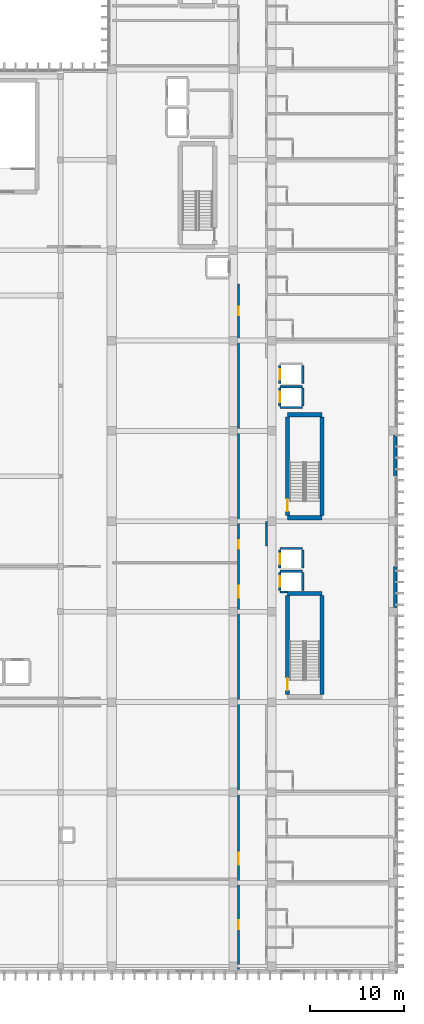
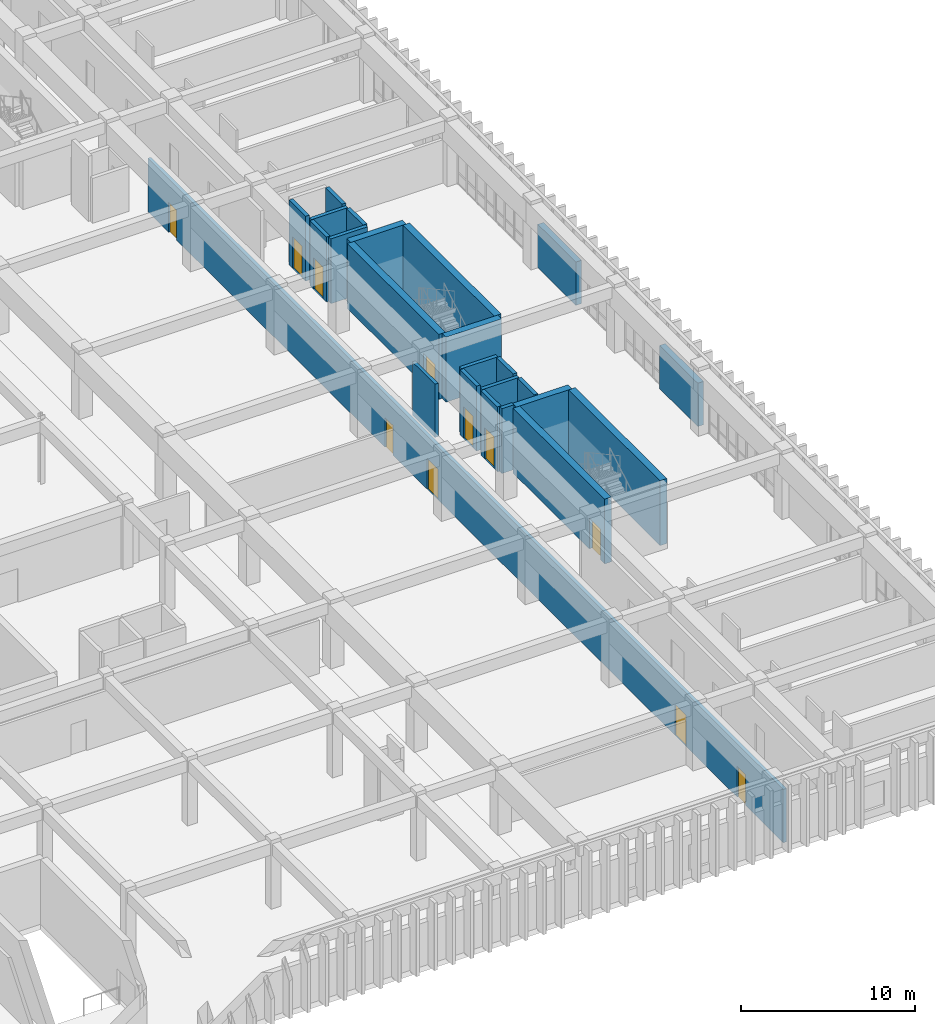
# One storey, part 78 of 101: 24 walls, 11 doors, 11 openings.
"""IFC4 building model written with IfcOpenShell, lengths in metres."""

from ifc_helpers import new_model, si_unit, direction, frame, frame_2d, origin, place, context, subcontext, project, spatial, rectangle, extrude, material, layer, layer_set, type_object, element, fill, save


model = new_model("IFC4")

# Units and contexts
model_context = context("Model", 3, precision=1e-05, world=origin(), true_north=direction((0.0, 1.0)))
body_context = subcontext(model_context, "Body", "Model", "MODEL_VIEW")
ifc_project = project(units=[si_unit("LENGTHUNIT", "METRE"), si_unit("AREAUNIT", "SQUARE_METRE"), si_unit("VOLUMEUNIT", "CUBIC_METRE"), si_unit("PLANEANGLEUNIT", "RADIAN"), si_unit("MASSUNIT", "GRAM", prefix="KILO")], contexts=[model_context])

# Site, building, storey
site_placement = place(None, origin())
site = spatial("IfcSite", under=ifc_project, at=site_placement, CompositionType="ELEMENT")
building_placement = place(site_placement, origin())
building = spatial("IfcBuilding", under=site, at=building_placement, Name="Nakhvara Creek Congress Hotel", CompositionType="ELEMENT")
storey_placement = place(building_placement, frame((0.0, 0.0, 16.199951171875)))
storey = spatial("IfcBuildingStorey", under=building, at=storey_placement, Name="L03", CompositionType="ELEMENT", Elevation=16.199951171875)

# Wall
ifc_material_1 = material(Name="Concrete C50/60", Category="concrete")
ifc_layer_1 = layer(ifc_material_1, 0.449951171875)
ifc_layer_set_1 = layer_set([ifc_layer_1], Name="Concrete C50/60")
wall_type_1 = type_object("IfcWallType", Name="W-CORE-450", PredefinedType="SHEAR", material=ifc_layer_set_1)
wall_1_placement = place(storey_placement, frame((168.10009765625, 40.320068359375, 0.0), z_axis=(0.0, 0.0, 1.0), x_axis=(1.0, 0.0, 0.0)))
element("IfcWall", 1, at=wall_1_placement, inside=storey, type_object=wall_type_1, Name="Core Shear Wall WS02-CWALL-L03-0590", PredefinedType="SHEAR", context=body_context, shape_type="SweptSolid", body=[
    extrude(rectangle(XDim=3.669921875, YDim=0.449951171875, at=frame_2d((1.8349609375, 0.0))), origin(), (0.0, 0.0, 1.0), 4.5400390625),
])

# Wall, opening, door
wall_2_placement = place(storey_placement, frame((168.10009765625, 29.60009765625, 0.0), z_axis=(0.0, 0.0, 1.0), x_axis=(0.0, 1.0, 0.0)))
wall_2 = element("IfcWall", 2, at=wall_2_placement, inside=storey, type_object=wall_type_1, Name="Core Shear Wall WS02-CWALL-L03-0591", PredefinedType="SHEAR", context=body_context, shape_type="SweptSolid", body=[
    extrude(rectangle(XDim=10.5, YDim=0.449951171875, at=frame_2d((5.25, 0.0))), origin(), (0.0, 0.0, 1.0), 4.5400390625),
])
opening_1_placement = place(wall_2_placement, frame((0.449951171875, 0.0, 0.0)))
opening_1 = element("IfcOpeningElement", 3, at=opening_1_placement, cuts=wall_2, Name="Opening FD04", PredefinedType="OPENING", context=body_context, shape_type="SweptSolid", body=[
    extrude(rectangle(XDim=1.300048828125, YDim=2.14990234375, at=frame_2d((0.64990234375, 1.074951171875))), frame((0.0, 0.23681640625, 0.0), z_axis=(0.0, -1.0, 0.0), x_axis=(1.0, 0.0, 0.0)), (0.0, 0.0, 1.0), 0.473876953125),
])
ifc_material_2 = material(Name="Powder-coated steel fire door", Category="steel")
door_type_1 = type_object("IfcDoorType", Name="DT-STAIR-130", OperationType="NOTDEFINED", PredefinedType="DOOR", material=ifc_material_2)
door_1_placement = place(opening_1_placement, origin())
door_1 = element("IfcDoor", 4, at=door_1_placement, inside=storey, type_object=door_type_1, Name="Stair Exit Door ST03-L03", OperationType="SINGLE_SWING_RIGHT", OverallHeight=2.14990234375, OverallWidth=1.300048828125, PredefinedType="DOOR", context=body_context, shape_type="SweptSolid", body=[
    extrude(rectangle(XDim=1.300048828125, YDim=2.14990234375, at=frame_2d((0.64990234375, 1.074951171875))), frame((0.0, 0.02490234375, 0.0), z_axis=(0.0, -1.0, 0.0), x_axis=(1.0, 0.0, 0.0)), (0.0, 0.0, 1.0), 0.050048828125),
])
fill(opening_1, door_1)

# Walls
wall_3_placement = place(storey_placement, frame((171.77001953125, 29.60009765625, 0.0), z_axis=(0.0, 0.0, 1.0), x_axis=(0.0, 1.0, 0.0)))
element("IfcWall", 5, at=wall_3_placement, inside=storey, type_object=wall_type_1, Name="Core Shear Wall WS02-CWALL-L03-0592", PredefinedType="SHEAR", context=body_context, shape_type="SweptSolid", body=[
    extrude(rectangle(XDim=10.5, YDim=0.449951171875, at=frame_2d((5.25, 0.0))), origin(), (0.0, 0.0, 1.0), 4.5400390625),
])
for number, where, z_axis, x_axis, name in (
    (6, (168.10009765625, 48.3798828125, 0.0), (0.0, 0.0, 1.0), (1.0, 0.0, 0.0), "Core Shear Wall WS02-CWALL-L03-0676"),
    (7, (168.10009765625, 59.320068359375, 0.0), (0.0, 0.0, 1.0), (1.0, 0.0, 0.0), "Core Shear Wall WS02-CWALL-L03-0677"),
):
    element("IfcWall", number, at=place(storey_placement, frame(where, z_axis=z_axis, x_axis=x_axis)), inside=storey, type_object=wall_type_1, Name=name, PredefinedType="SHEAR", context=body_context, shape_type="SweptSolid", body=[
        extrude(rectangle(XDim=3.669921875, YDim=0.449951171875, at=frame_2d((1.8349609375, 0.0))), origin(), (0.0, 0.0, 1.0), 4.5400390625),
    ])

# Wall, opening, door
wall_4_placement = place(storey_placement, frame((168.10009765625, 48.60009765625, 0.0), z_axis=(0.0, 0.0, 1.0), x_axis=(0.0, 1.0, 0.0)))
wall_4 = element("IfcWall", 8, at=wall_4_placement, inside=storey, type_object=wall_type_1, Name="Core Shear Wall WS02-CWALL-L03-0678", PredefinedType="SHEAR", context=body_context, shape_type="SweptSolid", body=[
    extrude(rectangle(XDim=10.5, YDim=0.449951171875, at=frame_2d((5.25, 0.0))), origin(), (0.0, 0.0, 1.0), 4.5400390625),
])
opening_2_placement = place(wall_4_placement, frame((0.449951171875, 0.0, 0.0)))
opening_2 = element("IfcOpeningElement", 9, at=opening_2_placement, cuts=wall_4, Name="Opening FD04", PredefinedType="OPENING", context=body_context, shape_type="SweptSolid", body=[
    extrude(rectangle(XDim=1.300048828125, YDim=2.14990234375, at=frame_2d((0.64990234375, 1.074951171875))), frame((0.0, 0.23681640625, 0.0), z_axis=(0.0, -1.0, 0.0), x_axis=(1.0, 0.0, 0.0)), (0.0, 0.0, 1.0), 0.473876953125),
])
door_2_placement = place(opening_2_placement, origin())
door_2 = element("IfcDoor", 10, at=door_2_placement, inside=storey, type_object=door_type_1, Name="Stair Exit Door ST04-L03", OperationType="SINGLE_SWING_RIGHT", OverallHeight=2.14990234375, OverallWidth=1.300048828125, PredefinedType="DOOR", context=body_context, shape_type="SweptSolid", body=[
    extrude(rectangle(XDim=1.300048828125, YDim=2.14990234375, at=frame_2d((0.64990234375, 1.074951171875))), frame((0.0, 0.02490234375, 0.0), z_axis=(0.0, -1.0, 0.0), x_axis=(1.0, 0.0, 0.0)), (0.0, 0.0, 1.0), 0.050048828125),
])
fill(opening_2, door_2)

# Wall
wall_5_placement = place(storey_placement, frame((171.77001953125, 48.60009765625, 0.0), z_axis=(0.0, 0.0, 1.0), x_axis=(0.0, 1.0, 0.0)))
element("IfcWall", 11, at=wall_5_placement, inside=storey, type_object=wall_type_1, Name="Core Shear Wall WS02-CWALL-L03-0679", PredefinedType="SHEAR", context=body_context, shape_type="SweptSolid", body=[
    extrude(rectangle(XDim=10.5, YDim=0.449951171875, at=frame_2d((5.25, 0.0))), origin(), (0.0, 0.0, 1.0), 4.5400390625),
])

# Wall, openings, doors
ifc_material_3 = material(Name="Gypsum acoustic board on steel stud", Category="steel")
ifc_layer_2 = layer(ifc_material_3, 0.219970703125)
ifc_layer_set_2 = layer_set([ifc_layer_2], Name="Gypsum acoustic board on steel stud")
wall_type_2 = type_object("IfcWallType", Name="W-CORR-220", PredefinedType="PARTITIONING", material=ifc_layer_set_2)
wall_6_placement = place(storey_placement, frame((162.919921875, 0.35009765625, 0.0), z_axis=(0.0, 0.0, 1.0), x_axis=(0.0, 1.0, 0.0)))
wall_6 = element("IfcWall", 12, at=wall_6_placement, inside=storey, type_object=wall_type_2, Name="Interior Wall WP11-IW-L03-0209", PredefinedType="PARTITIONING", context=body_context, shape_type="SweptSolid", body=[
    extrude(rectangle(XDim=72.849853515625, YDim=0.219970703125, at=frame_2d((36.4248046875, 0.0))), origin(), (0.0, 0.0, 1.0), 3.73193359375),
])
opening_3_placement = place(wall_6_placement, frame((4.300048828125, 0.0, 0.0)))
opening_3 = element("IfcOpeningElement", 13, at=opening_3_placement, cuts=wall_6, Name="Opening MD03", PredefinedType="OPENING", context=body_context, shape_type="SweptSolid", body=[
    extrude(rectangle(XDim=0.97998046875, YDim=2.14990234375, at=frame_2d((0.489990234375, 1.074951171875))), frame((0.0, 0.1220703125, 0.0), z_axis=(0.0, -1.0, 0.0), x_axis=(1.0, 0.0, 0.0)), (0.0, 0.0, 1.0), 0.243896484375),
])
opening_4_placement = place(wall_6_placement, frame((11.14990234375, 0.0, 0.0)))
opening_4 = element("IfcOpeningElement", 14, at=opening_4_placement, cuts=wall_6, Name="Opening ID07", PredefinedType="OPENING", context=body_context, shape_type="SweptSolid", body=[
    extrude(rectangle(XDim=1.280029296875, YDim=2.159912109375, at=frame_2d((0.64013671875, 1.080078125))), frame((0.0, 0.1220703125, 0.0), z_axis=(0.0, -1.0, 0.0), x_axis=(1.0, 0.0, 0.0)), (0.0, 0.0, 1.0), 0.243896484375),
])
opening_5_placement = place(wall_6_placement, frame((39.550048828125, 0.0, 0.0)))
opening_5 = element("IfcOpeningElement", 15, at=opening_5_placement, cuts=wall_6, Name="Opening ID07", PredefinedType="OPENING", context=body_context, shape_type="SweptSolid", body=[
    extrude(rectangle(XDim=1.280029296875, YDim=2.159912109375, at=frame_2d((0.64013671875, 1.080078125))), frame((0.0, 0.1220703125, 0.0), z_axis=(0.0, -1.0, 0.0), x_axis=(1.0, 0.0, 0.0)), (0.0, 0.0, 1.0), 0.243896484375),
])
opening_6_placement = place(wall_6_placement, frame((44.75, 0.0, 0.0)))
opening_6 = element("IfcOpeningElement", 16, at=opening_6_placement, cuts=wall_6, Name="Opening ID03", PredefinedType="OPENING", context=body_context, shape_type="SweptSolid", body=[
    extrude(rectangle(XDim=0.89990234375, YDim=2.080078125, at=frame_2d((0.449951171875, 1.0400390625))), frame((0.0, 0.1220703125, 0.0), z_axis=(0.0, -1.0, 0.0), x_axis=(1.0, 0.0, 0.0)), (0.0, 0.0, 1.0), 0.243896484375),
])
opening_7_placement = place(wall_6_placement, frame((69.550048828125, 0.0, 0.0)))
opening_7 = element("IfcOpeningElement", 17, at=opening_7_placement, cuts=wall_6, Name="Opening ID03", PredefinedType="OPENING", context=body_context, shape_type="SweptSolid", body=[
    extrude(rectangle(XDim=0.89990234375, YDim=2.080078125, at=frame_2d((0.449951171875, 1.0400390625))), frame((0.0, 0.1220703125, 0.0), z_axis=(0.0, -1.0, 0.0), x_axis=(1.0, 0.0, 0.0)), (0.0, 0.0, 1.0), 0.243896484375),
])
ifc_material_4 = material(Name="Brushed stainless-clad BOH door")
door_type_2 = type_object("IfcDoorType", Name="DT-BOH-128", OperationType="NOTDEFINED", PredefinedType="DOOR", material=ifc_material_4)
door_3_placement = place(opening_4_placement, frame((1.280029296875, 0.0, 0.0), z_axis=(0.0, 0.0, 1.0), x_axis=(-1.0, 0.0, 0.0)))
door_3 = element("IfcDoor", 18, at=door_3_placement, inside=storey, type_object=door_type_2, Name="Interior Door ID07-0214", OperationType="SINGLE_SWING_LEFT", OverallHeight=2.159912109375, OverallWidth=1.280029296875, PredefinedType="DOOR", context=body_context, shape_type="SweptSolid", body=[
    extrude(rectangle(XDim=1.280029296875, YDim=2.159912109375, at=frame_2d((0.64013671875, 1.080078125))), frame((0.0, 0.02490234375, 0.0), z_axis=(0.0, -1.0, 0.0), x_axis=(1.0, 0.0, 0.0)), (0.0, 0.0, 1.0), 0.050048828125),
])
fill(opening_4, door_3)
door_4_placement = place(opening_5_placement, frame((1.280029296875, 0.0, 0.0), z_axis=(0.0, 0.0, 1.0), x_axis=(-1.0, 0.0, 0.0)))
door_4 = element("IfcDoor", 19, at=door_4_placement, inside=storey, type_object=door_type_2, Name="Interior Door ID07-0215", OperationType="SINGLE_SWING_RIGHT", OverallHeight=2.159912109375, OverallWidth=1.280029296875, PredefinedType="DOOR", context=body_context, shape_type="SweptSolid", body=[
    extrude(rectangle(XDim=1.280029296875, YDim=2.159912109375, at=frame_2d((0.64013671875, 1.080078125))), frame((0.0, 0.02490234375, 0.0), z_axis=(0.0, -1.0, 0.0), x_axis=(1.0, 0.0, 0.0)), (0.0, 0.0, 1.0), 0.050048828125),
])
fill(opening_5, door_4)
ifc_material_5 = material(Name="Acoustic ISO 2603 sound-lock timber door", Category="wood")
door_type_3 = type_object("IfcDoorType", Name="DT-ISO-098", OperationType="NOTDEFINED", PredefinedType="DOOR", material=ifc_material_5)
door_5_placement = place(opening_3_placement, frame((0.97998046875, 0.0, 0.0), z_axis=(0.0, 0.0, 1.0), x_axis=(-1.0, 0.0, 0.0)))
door_5 = element("IfcDoor", 20, at=door_5_placement, inside=storey, type_object=door_type_3, Name="Interior Door MD03-0211", OperationType="SINGLE_SWING_RIGHT", OverallHeight=2.14990234375, OverallWidth=0.97998046875, PredefinedType="DOOR", context=body_context, shape_type="SweptSolid", body=[
    extrude(rectangle(XDim=0.97998046875, YDim=2.14990234375, at=frame_2d((0.489990234375, 1.074951171875))), frame((0.0, 0.02490234375, 0.0), z_axis=(0.0, -1.0, 0.0), x_axis=(1.0, 0.0, 0.0)), (0.0, 0.0, 1.0), 0.050048828125),
])
fill(opening_3, door_5)
ifc_material_6 = material(Name="Moisture-resistant laminate timber door", Category="wood")
door_type_4 = type_object("IfcDoorType", Name="DT-WC-090", OperationType="NOTDEFINED", PredefinedType="DOOR", material=ifc_material_6)
door_6_placement = place(opening_6_placement, frame((0.89990234375, 0.0, 0.0), z_axis=(0.0, 0.0, 1.0), x_axis=(-1.0, 0.0, 0.0)))
door_6 = element("IfcDoor", 21, at=door_6_placement, inside=storey, type_object=door_type_4, Name="Interior Door ID03-0216", OperationType="SINGLE_SWING_LEFT", OverallHeight=2.080078125, OverallWidth=0.89990234375, PredefinedType="DOOR", context=body_context, shape_type="SweptSolid", body=[
    extrude(rectangle(XDim=0.89990234375, YDim=2.080078125, at=frame_2d((0.449951171875, 1.0400390625))), frame((0.0, 0.02490234375, 0.0), z_axis=(0.0, -1.0, 0.0), x_axis=(1.0, 0.0, 0.0)), (0.0, 0.0, 1.0), 0.050048828125),
])
fill(opening_6, door_6)
door_7_placement = place(opening_7_placement, frame((0.89990234375, 0.0, 0.0), z_axis=(0.0, 0.0, 1.0), x_axis=(-1.0, 0.0, 0.0)))
door_7 = element("IfcDoor", 22, at=door_7_placement, inside=storey, type_object=door_type_4, Name="Interior Door ID03-0217", OperationType="SINGLE_SWING_RIGHT", OverallHeight=2.080078125, OverallWidth=0.89990234375, PredefinedType="DOOR", context=body_context, shape_type="SweptSolid", body=[
    extrude(rectangle(XDim=0.89990234375, YDim=2.080078125, at=frame_2d((0.449951171875, 1.0400390625))), frame((0.0, 0.02490234375, 0.0), z_axis=(0.0, -1.0, 0.0), x_axis=(1.0, 0.0, 0.0)), (0.0, 0.0, 1.0), 0.050048828125),
])
fill(opening_7, door_7)

# Walls
wall_7_placement = place(storey_placement, frame((165.8798828125, 45.39990234375, 0.0), z_axis=(0.0, 0.0, 1.0), x_axis=(0.0, 1.0, 0.0)))
element("IfcWall", 23, at=wall_7_placement, inside=storey, type_object=wall_type_2, Name="Interior Wall WP11-IW-L03-0213", PredefinedType="PARTITIONING", context=body_context, shape_type="SweptSolid", body=[
    extrude(rectangle(XDim=2.60009765625, YDim=0.219970703125, at=frame_2d((1.300048828125, 0.0))), origin(), (0.0, 0.0, 1.0), 3.73193359375),
])
ifc_material_7 = material(Name="Honed pale Omani limestone cladding", Category="masonry")
ifc_layer_3 = layer(ifc_material_7, 0.050048828125)
ifc_material_8 = material(Name="Mineral wool thermal insulation")
ifc_layer_4 = layer(ifc_material_8, 0.110107421875)
ifc_material_9 = material(Name="Precast concrete C40/50", Category="concrete")
ifc_layer_5 = layer(ifc_material_9, 0.219970703125)
ifc_layer_set_3 = layer_set([ifc_layer_3, ifc_layer_4, ifc_layer_5], Name="Precast concrete C40/50")
wall_type_3 = type_object("IfcWallType", Name="W-EXT-380", PredefinedType="SOLIDWALL", material=ifc_layer_set_3)
for number, where, z_axis, x_axis, name in (
    (24, (179.56005859375, 43.199951171875, 0.0), (0.0, 0.0, 1.0), (0.0, -1.0, 0.0), "Exterior Wall WE03-EW-L03-0123"),
    (25, (179.56005859375, 57.175048828125, 0.0), (0.0, 0.0, 1.0), (0.0, -1.0, 0.0), "Exterior Wall WE03-EW-L03-0124"),
):
    element("IfcWall", number, at=place(storey_placement, frame(where, z_axis=z_axis, x_axis=x_axis)), inside=storey, type_object=wall_type_3, Name=name, PredefinedType="SOLIDWALL", context=body_context, shape_type="SweptSolid", body=[
        extrude(rectangle(XDim=4.375, YDim=0.3798828125, at=frame_2d((2.1875, 0.0))), origin(), (0.0, 0.0, 1.0), 3.031982421875),
    ])
ifc_material_10 = material(Name="Concrete C40/50", Category="concrete")
ifc_layer_6 = layer(ifc_material_10, 0.25)
ifc_layer_set_4 = layer_set([ifc_layer_6], Name="Concrete C40/50")
wall_type_4 = type_object("IfcWallType", Name="W-SHAFT-250", PredefinedType="SOLIDWALL", material=ifc_layer_set_4)
wall_8_placement = place(storey_placement, frame((167.2900390625, 40.489990234375, 0.0), z_axis=(0.0, 0.0, 1.0), x_axis=(1.0, 0.0, 0.0)))
element("IfcWall", 26, at=wall_8_placement, inside=storey, type_object=wall_type_4, Name="Core Shear Wall WI02-CWALL-L03-0593", PredefinedType="SOLIDWALL", context=body_context, shape_type="SweptSolid", body=[
    extrude(rectangle(XDim=0.800048828125, YDim=0.25, at=frame_2d((0.39990234375, 0.0))), origin(), (0.0, 0.0, 1.0), 4.5400390625),
])
wall_9_placement = place(storey_placement, frame((167.2900390625, 42.7099609375, 0.0), z_axis=(0.0, 0.0, 1.0), x_axis=(1.0, 0.0, 0.0)))
element("IfcWall", 27, at=wall_9_placement, inside=storey, type_object=wall_type_4, Name="Core Shear Wall WI02-CWALL-L03-0594", PredefinedType="SOLIDWALL", context=body_context, shape_type="SweptSolid", body=[
    extrude(rectangle(XDim=2.419921875, YDim=0.25, at=frame_2d((1.2099609375, 0.0))), origin(), (0.0, 0.0, 1.0), 4.5400390625),
])

# Wall, opening, door
wall_10_placement = place(storey_placement, frame((167.2900390625, 40.64990234375, 0.0), z_axis=(0.0, 0.0, 1.0), x_axis=(0.0, 1.0, 0.0)))
wall_10 = element("IfcWall", 28, at=wall_10_placement, inside=storey, type_object=wall_type_4, Name="Core Shear Wall WI02-CWALL-L03-0595", PredefinedType="SOLIDWALL", context=body_context, shape_type="SweptSolid", body=[
    extrude(rectangle(XDim=1.900146484375, YDim=0.25, at=frame_2d((0.9501953125, 0.0))), origin(), (0.0, 0.0, 1.0), 4.5400390625),
])
opening_8_placement = place(wall_10_placement, frame((0.39990234375, 0.0, 0.0)))
opening_8 = element("IfcOpeningElement", 29, at=opening_8_placement, cuts=wall_10, Name="Opening LD01", PredefinedType="OPENING", context=body_context, shape_type="SweptSolid", body=[
    extrude(rectangle(XDim=1.10009765625, YDim=2.199951171875, at=frame_2d((0.550048828125, 1.10009765625))), frame((0.0, 0.136962890625, 0.0), z_axis=(0.0, -1.0, 0.0), x_axis=(1.0, 0.0, 0.0)), (0.0, 0.0, 1.0), 0.27392578125),
])
ifc_material_11 = material(Name="Brushed stainless steel sliding landing door", Category="steel")
door_type_5 = type_object("IfcDoorType", Name="DT-LIFT-110", OperationType="DOUBLE_DOOR_SLIDING", PredefinedType="DOOR", material=ifc_material_11)
door_8_placement = place(opening_8_placement, origin())
door_8 = element("IfcDoor", 30, at=door_8_placement, inside=storey, type_object=door_type_5, Name="Landing Door PL03-L03", OperationType="SLIDING_TO_LEFT", OverallHeight=2.199951171875, OverallWidth=1.10009765625, PredefinedType="DOOR", context=body_context, shape_type="SweptSolid", body=[
    extrude(rectangle(XDim=1.10009765625, YDim=2.199951171875, at=frame_2d((0.550048828125, 1.10009765625))), frame((0.0, 0.02490234375, 0.0), z_axis=(0.0, -1.0, 0.0), x_axis=(1.0, 0.0, 0.0)), (0.0, 0.0, 1.0), 0.050048828125),
])
fill(opening_8, door_8)

# Walls
wall_11_placement = place(storey_placement, frame((169.7099609375, 40.64990234375, 0.0), z_axis=(0.0, 0.0, 1.0), x_axis=(0.0, 1.0, 0.0)))
element("IfcWall", 31, at=wall_11_placement, inside=storey, type_object=wall_type_4, Name="Core Shear Wall WI02-CWALL-L03-0596", PredefinedType="SOLIDWALL", context=body_context, shape_type="SweptSolid", body=[
    extrude(rectangle(XDim=1.900146484375, YDim=0.25, at=frame_2d((0.9501953125, 0.0))), origin(), (0.0, 0.0, 1.0), 4.5400390625),
])
wall_12_placement = place(storey_placement, frame((167.2900390625, 45.110107421875, 0.0), z_axis=(0.0, 0.0, 1.0), x_axis=(1.0, 0.0, 0.0)))
element("IfcWall", 32, at=wall_12_placement, inside=storey, type_object=wall_type_4, Name="Core Shear Wall WI02-CWALL-L03-0597", PredefinedType="SOLIDWALL", context=body_context, shape_type="SweptSolid", body=[
    extrude(rectangle(XDim=2.419921875, YDim=0.25, at=frame_2d((1.2099609375, 0.0))), origin(), (0.0, 0.0, 1.0), 4.5400390625),
])

# Wall, opening, door
wall_13_placement = place(storey_placement, frame((167.2900390625, 43.050048828125, 0.0), z_axis=(0.0, 0.0, 1.0), x_axis=(0.0, 1.0, 0.0)))
wall_13 = element("IfcWall", 33, at=wall_13_placement, inside=storey, type_object=wall_type_4, Name="Core Shear Wall WI02-CWALL-L03-0598", PredefinedType="SOLIDWALL", context=body_context, shape_type="SweptSolid", body=[
    extrude(rectangle(XDim=1.89990234375, YDim=0.25, at=frame_2d((0.949951171875, 0.0))), origin(), (0.0, 0.0, 1.0), 4.5400390625),
])
opening_9_placement = place(wall_13_placement, frame((0.39990234375, 0.0, 0.0)))
opening_9 = element("IfcOpeningElement", 34, at=opening_9_placement, cuts=wall_13, Name="Opening LD01", PredefinedType="OPENING", context=body_context, shape_type="SweptSolid", body=[
    extrude(rectangle(XDim=1.10009765625, YDim=2.199951171875, at=frame_2d((0.550048828125, 1.10009765625))), frame((0.0, 0.136962890625, 0.0), z_axis=(0.0, -1.0, 0.0), x_axis=(1.0, 0.0, 0.0)), (0.0, 0.0, 1.0), 0.27392578125),
])
door_9_placement = place(opening_9_placement, origin())
door_9 = element("IfcDoor", 35, at=door_9_placement, inside=storey, type_object=door_type_5, Name="Landing Door PL04-L03", OperationType="SLIDING_TO_LEFT", OverallHeight=2.199951171875, OverallWidth=1.10009765625, PredefinedType="DOOR", context=body_context, shape_type="SweptSolid", body=[
    extrude(rectangle(XDim=1.10009765625, YDim=2.199951171875, at=frame_2d((0.550048828125, 1.10009765625))), frame((0.0, 0.02490234375, 0.0), z_axis=(0.0, -1.0, 0.0), x_axis=(1.0, 0.0, 0.0)), (0.0, 0.0, 1.0), 0.050048828125),
])
fill(opening_9, door_9)

# Walls
wall_14_placement = place(storey_placement, frame((169.7099609375, 43.050048828125, 0.0), z_axis=(0.0, 0.0, 1.0), x_axis=(0.0, 1.0, 0.0)))
element("IfcWall", 36, at=wall_14_placement, inside=storey, type_object=wall_type_4, Name="Core Shear Wall WI02-CWALL-L03-0599", PredefinedType="SOLIDWALL", context=body_context, shape_type="SweptSolid", body=[
    extrude(rectangle(XDim=1.89990234375, YDim=0.25, at=frame_2d((0.949951171875, 0.0))), origin(), (0.0, 0.0, 1.0), 4.5400390625),
])
for number, where, z_axis, x_axis, name in (
    (37, (167.2900390625, 60.090087890625, 0.0), (0.0, 0.0, 1.0), (1.0, 0.0, 0.0), "Core Shear Wall WI02-CWALL-L03-0680"),
    (38, (167.2900390625, 62.31005859375, 0.0), (0.0, 0.0, 1.0), (1.0, 0.0, 0.0), "Core Shear Wall WI02-CWALL-L03-0681"),
):
    element("IfcWall", number, at=place(storey_placement, frame(where, z_axis=z_axis, x_axis=x_axis)), inside=storey, type_object=wall_type_4, Name=name, PredefinedType="SOLIDWALL", context=body_context, shape_type="SweptSolid", body=[
        extrude(rectangle(XDim=2.419921875, YDim=0.25, at=frame_2d((1.2099609375, 0.0))), origin(), (0.0, 0.0, 1.0), 4.5400390625),
    ])

# Wall, opening, door
wall_15_placement = place(storey_placement, frame((167.2900390625, 60.25, 0.0), z_axis=(0.0, 0.0, 1.0), x_axis=(0.0, 1.0, 0.0)))
wall_15 = element("IfcWall", 39, at=wall_15_placement, inside=storey, type_object=wall_type_4, Name="Core Shear Wall WI02-CWALL-L03-0682", PredefinedType="SOLIDWALL", context=body_context, shape_type="SweptSolid", body=[
    extrude(rectangle(XDim=1.89990234375, YDim=0.25, at=frame_2d((0.949951171875, 0.0))), origin(), (0.0, 0.0, 1.0), 4.5400390625),
])
opening_10_placement = place(wall_15_placement, frame((0.39990234375, 0.0, 0.0)))
opening_10 = element("IfcOpeningElement", 40, at=opening_10_placement, cuts=wall_15, Name="Opening LD01", PredefinedType="OPENING", context=body_context, shape_type="SweptSolid", body=[
    extrude(rectangle(XDim=1.10009765625, YDim=2.199951171875, at=frame_2d((0.550048828125, 1.10009765625))), frame((0.0, 0.136962890625, 0.0), z_axis=(0.0, -1.0, 0.0), x_axis=(1.0, 0.0, 0.0)), (0.0, 0.0, 1.0), 0.27392578125),
])
door_10_placement = place(opening_10_placement, origin())
door_10 = element("IfcDoor", 41, at=door_10_placement, inside=storey, type_object=door_type_5, Name="Landing Door PL05-L03", OperationType="SLIDING_TO_LEFT", OverallHeight=2.199951171875, OverallWidth=1.10009765625, PredefinedType="DOOR", context=body_context, shape_type="SweptSolid", body=[
    extrude(rectangle(XDim=1.10009765625, YDim=2.199951171875, at=frame_2d((0.550048828125, 1.10009765625))), frame((0.0, 0.02490234375, 0.0), z_axis=(0.0, -1.0, 0.0), x_axis=(1.0, 0.0, 0.0)), (0.0, 0.0, 1.0), 0.050048828125),
])
fill(opening_10, door_10)

# Wall
wall_16_placement = place(storey_placement, frame((169.7099609375, 60.25, 0.0), z_axis=(0.0, 0.0, 1.0), x_axis=(0.0, 1.0, 0.0)))
element("IfcWall", 42, at=wall_16_placement, inside=storey, type_object=wall_type_4, Name="Core Shear Wall WI02-CWALL-L03-0683", PredefinedType="SOLIDWALL", context=body_context, shape_type="SweptSolid", body=[
    extrude(rectangle(XDim=1.89990234375, YDim=0.25, at=frame_2d((0.949951171875, 0.0))), origin(), (0.0, 0.0, 1.0), 4.5400390625),
])

# Wall, opening, door
wall_17_placement = place(storey_placement, frame((167.2900390625, 62.64990234375, 0.0), z_axis=(0.0, 0.0, 1.0), x_axis=(0.0, 1.0, 0.0)))
wall_17 = element("IfcWall", 43, at=wall_17_placement, inside=storey, type_object=wall_type_4, Name="Core Shear Wall WI02-CWALL-L03-0685", PredefinedType="SOLIDWALL", context=body_context, shape_type="SweptSolid", body=[
    extrude(rectangle(XDim=1.900146484375, YDim=0.25, at=frame_2d((0.9501953125, 0.0))), origin(), (0.0, 0.0, 1.0), 4.5400390625),
])
opening_11_placement = place(wall_17_placement, frame((0.39990234375, 0.0, 0.0)))
opening_11 = element("IfcOpeningElement", 44, at=opening_11_placement, cuts=wall_17, Name="Opening LD01", PredefinedType="OPENING", context=body_context, shape_type="SweptSolid", body=[
    extrude(rectangle(XDim=1.10009765625, YDim=2.199951171875, at=frame_2d((0.550048828125, 1.10009765625))), frame((0.0, 0.136962890625, 0.0), z_axis=(0.0, -1.0, 0.0), x_axis=(1.0, 0.0, 0.0)), (0.0, 0.0, 1.0), 0.27392578125),
])
door_11_placement = place(opening_11_placement, origin())
door_11 = element("IfcDoor", 45, at=door_11_placement, inside=storey, type_object=door_type_5, Name="Landing Door PL06-L03", OperationType="SLIDING_TO_LEFT", OverallHeight=2.199951171875, OverallWidth=1.10009765625, PredefinedType="DOOR", context=body_context, shape_type="SweptSolid", body=[
    extrude(rectangle(XDim=1.10009765625, YDim=2.199951171875, at=frame_2d((0.550048828125, 1.10009765625))), frame((0.0, 0.02490234375, 0.0), z_axis=(0.0, -1.0, 0.0), x_axis=(1.0, 0.0, 0.0)), (0.0, 0.0, 1.0), 0.050048828125),
])
fill(opening_11, door_11)

# Wall
wall_18_placement = place(storey_placement, frame((169.7099609375, 62.64990234375, 0.0), z_axis=(0.0, 0.0, 1.0), x_axis=(0.0, 1.0, 0.0)))
element("IfcWall", 46, at=wall_18_placement, inside=storey, type_object=wall_type_4, Name="Core Shear Wall WI02-CWALL-L03-0686", PredefinedType="SOLIDWALL", context=body_context, shape_type="SweptSolid", body=[
    extrude(rectangle(XDim=1.900146484375, YDim=0.25, at=frame_2d((0.9501953125, 0.0))), origin(), (0.0, 0.0, 1.0), 4.5400390625),
])

save(model, "model.ifc")
